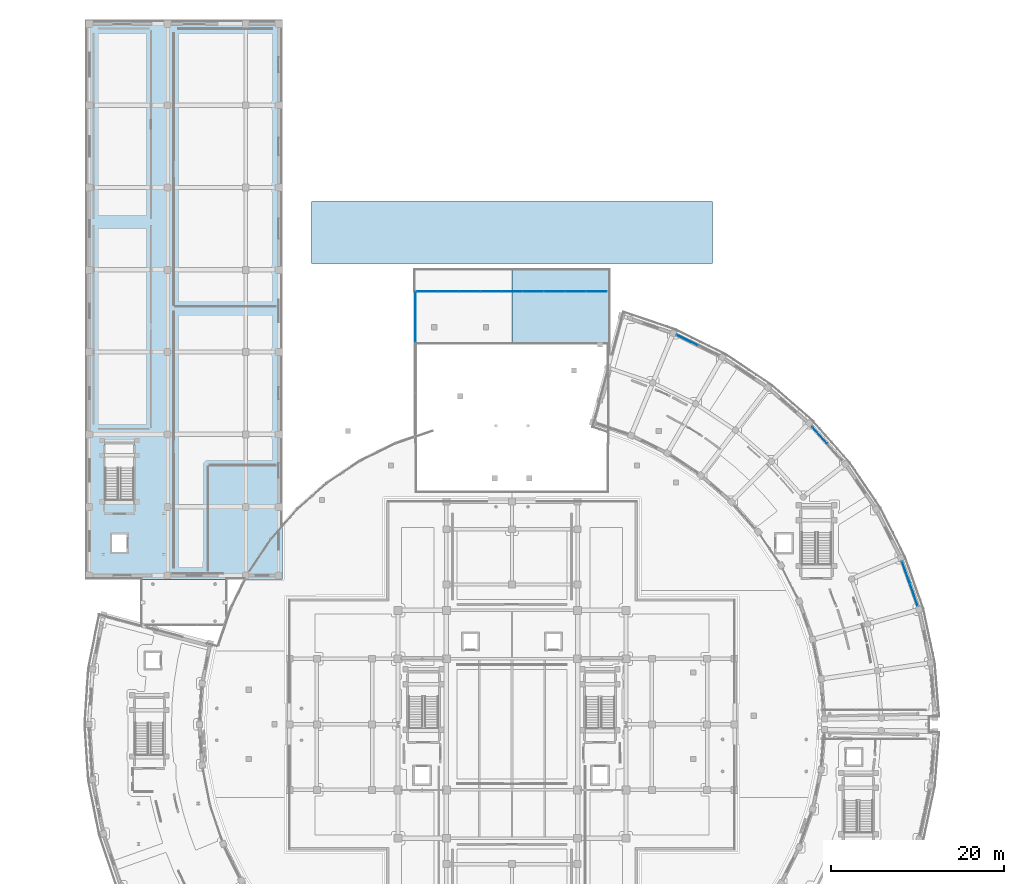
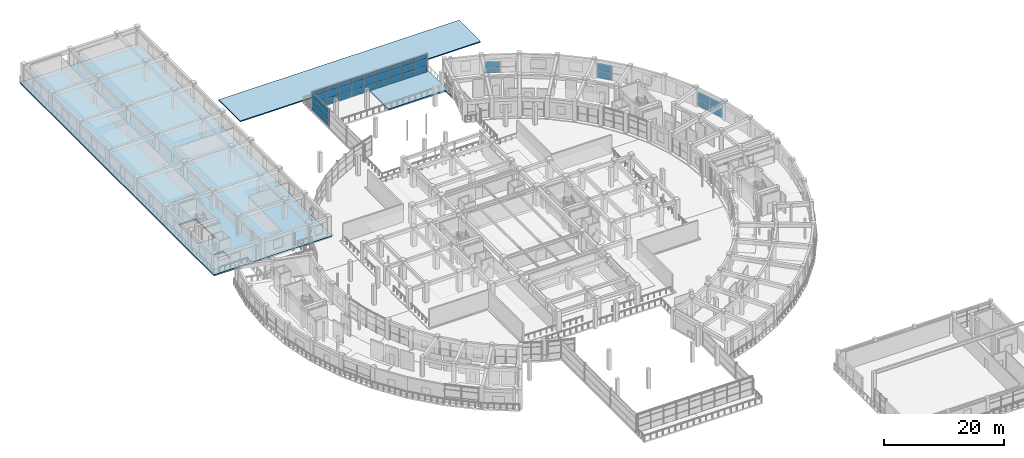
# One storey, part 52 of 87: 38 plates, 3 slabs, 7 elements without a shape of their own.
"""IFC4 building model written with IfcOpenShell, lengths in metres."""

from ifc_helpers import new_model, si_unit, direction, frame, origin, origin_2d, place, context, subcontext, project, spatial, polyline, rectangle, outline, extrude, material, layer, layer_set, type_object, element, aggregate, save


model = new_model("IFC4")

# Units and contexts
model_context = context("Model", 3, precision=1e-05, world=origin(), true_north=direction((0.0, 1.0)))
body_context = subcontext(model_context, "Body", "Model", "MODEL_VIEW")
ifc_project = project(units=[si_unit("LENGTHUNIT", "METRE"), si_unit("AREAUNIT", "SQUARE_METRE"), si_unit("VOLUMEUNIT", "CUBIC_METRE"), si_unit("PLANEANGLEUNIT", "RADIAN"), si_unit("MASSUNIT", "GRAM", prefix="KILO")], contexts=[model_context])

# Site, building, storey
site_placement = place(None, origin())
site = spatial("IfcSite", under=ifc_project, at=site_placement, CompositionType="ELEMENT")
building_placement = place(site_placement, origin())
building = spatial("IfcBuilding", under=site, at=building_placement, Name="Saryqyr Civic Hall", CompositionType="ELEMENT")
storey_placement = place(building_placement, frame((0.0, 0.0, 5.10009765625)))
storey = spatial("IfcBuildingStorey", under=building, at=storey_placement, Name="L01", CompositionType="ELEMENT", Elevation=5.10009765625)

# Curtain wall, plates
ifc_material_1 = material(Name="Anodised aluminium and triple low-E glass", Category="aluminium")
curtain_wall_type_1 = type_object("IfcCurtainWallType", Name="ENV-CW-STD-16", PredefinedType="NOTDEFINED", material=ifc_material_1)
curtain_wall_1_placement = place(storey_placement, origin())
curtain_wall_1 = element("IfcCurtainWall", 1, at=curtain_wall_1_placement, inside=storey, type_object=curtain_wall_type_1, Name="Curtain wall V6-CWO-L01-02", PredefinedType="NOTDEFINED")
ifc_material_2 = material(Name="Triple low-E insulated glazing", Category="glass")
ifc_layer_1 = layer(ifc_material_2, 0.053955078125, Name="Triple low-E insulated glazing")
ifc_layer_set_1 = layer_set([ifc_layer_1], Name="Triple low-E insulated glazing")
plate_type_1 = type_object("IfcPlateType", Name="ENV-CW-PNL-38", PredefinedType="CURTAIN_PANEL", material=ifc_layer_set_1)
plate_1_placement = place(storey_placement, frame((102.650390625, 101.57470703125, 0.059814453125), z_axis=(0.0, 0.0, 1.0), x_axis=(0.33320233131, -0.942855347553, 0.0)))
plate_1 = element("IfcPlate", 2, at=plate_1_placement, type_object=plate_type_1, Name="CW-16 panel 1.1", PredefinedType="CURTAIN_PANEL", context=body_context, shape_type="SweptSolid", body=[
    extrude(rectangle(XDim=2.66064453125, YDim=0.053955078125, at=origin_2d()), origin(), (0.0, 0.0, 1.0), 1.48193359375),
])
plate_2_placement = place(storey_placement, frame((102.650390625, 101.57470703125, 1.60205078125), z_axis=(0.0, 0.0, 1.0), x_axis=(0.33320233131, -0.942855347553, 0.0)))
plate_2 = element("IfcPlate", 3, at=plate_2_placement, type_object=plate_type_1, Name="CW-16 panel 1.2", PredefinedType="CURTAIN_PANEL", context=body_context, shape_type="SweptSolid", body=[
    extrude(rectangle(XDim=2.66064453125, YDim=0.053955078125, at=origin_2d()), origin(), (0.0, 0.0, 1.0), 1.48291015625),
])
plate_3_placement = place(storey_placement, frame((103.556884765625, 99.009521484375, 0.059814453125), z_axis=(0.0, 0.0, 1.0), x_axis=(0.33320233131, -0.942855347553, 0.0)))
plate_3 = element("IfcPlate", 4, at=plate_3_placement, type_object=plate_type_1, Name="CW-16 panel 2.1", PredefinedType="CURTAIN_PANEL", context=body_context, shape_type="SweptSolid", body=[
    extrude(rectangle(XDim=2.66064453125, YDim=0.053955078125, at=origin_2d()), origin(), (0.0, 0.0, 1.0), 1.48193359375),
])
plate_4_placement = place(storey_placement, frame((103.556884765625, 99.009521484375, 1.60205078125), z_axis=(0.0, 0.0, 1.0), x_axis=(0.33320233131, -0.942855347553, 0.0)))
plate_4 = element("IfcPlate", 5, at=plate_4_placement, type_object=plate_type_1, Name="CW-16 panel 2.2", PredefinedType="CURTAIN_PANEL", context=body_context, shape_type="SweptSolid", body=[
    extrude(rectangle(XDim=2.66064453125, YDim=0.053955078125, at=origin_2d()), origin(), (0.0, 0.0, 1.0), 1.48291015625),
])
aggregate(curtain_wall_1, [plate_1, plate_2, plate_3, plate_4])

curtain_wall_type_2 = type_object("IfcCurtainWallType", Name="ENV-CW-STD-46", PredefinedType="NOTDEFINED", material=ifc_material_1)
curtain_wall_2_placement = place(storey_placement, origin())
curtain_wall_2 = element("IfcCurtainWall", 6, at=curtain_wall_2_placement, inside=storey, type_object=curtain_wall_type_2, Name="Curtain wall V6-CWO-L01-05", PredefinedType="NOTDEFINED")
plate_5_placement = place(storey_placement, frame((92.6533203125, 117.489501953125, 0.059814453125), z_axis=(0.0, 0.0, 1.0), x_axis=(0.664936864868, -0.74689956871, 0.0)))
plate_5 = element("IfcPlate", 7, at=plate_5_placement, type_object=plate_type_1, Name="CW-46 panel 1.1", PredefinedType="CURTAIN_PANEL", context=body_context, shape_type="SweptSolid", body=[
    extrude(rectangle(XDim=2.552001953125, YDim=0.053955078125, at=origin_2d()), origin(), (0.0, 0.0, 1.0), 1.48193359375),
])
plate_6_placement = place(storey_placement, frame((92.6533203125, 117.489501953125, 1.60205078125), z_axis=(0.0, 0.0, 1.0), x_axis=(0.664936864868, -0.74689956871, 0.0)))
plate_6 = element("IfcPlate", 8, at=plate_6_placement, type_object=plate_type_1, Name="CW-46 panel 1.2", PredefinedType="CURTAIN_PANEL", context=body_context, shape_type="SweptSolid", body=[
    extrude(rectangle(XDim=2.552001953125, YDim=0.053955078125, at=origin_2d()), origin(), (0.0, 0.0, 1.0), 1.48291015625),
])
aggregate(curtain_wall_2, [plate_5, plate_6])

curtain_wall_type_3 = type_object("IfcCurtainWallType", Name="ENV-CW-STD-38", PredefinedType="NOTDEFINED", material=ifc_material_1)
curtain_wall_3_placement = place(storey_placement, origin())
curtain_wall_3 = element("IfcCurtainWall", 9, at=curtain_wall_3_placement, inside=storey, type_object=curtain_wall_type_3, Name="Curtain wall V6-CWO-L01-08", PredefinedType="NOTDEFINED")
plate_7_placement = place(storey_placement, frame((77.3056640625, 128.502685546875, 0.06005859375), z_axis=(0.0, 0.0, 1.0), x_axis=(0.897970253811, -0.440056159224, 0.0)))
plate_7 = element("IfcPlate", 10, at=plate_7_placement, type_object=plate_type_1, Name="CW-38 panel 1.1", PredefinedType="CURTAIN_PANEL", context=body_context, shape_type="SweptSolid", body=[
    extrude(rectangle(XDim=2.639892578125, YDim=0.053955078125, at=origin_2d()), origin(), (0.0, 0.0, 1.0), 1.135009765625),
])
plate_8_placement = place(storey_placement, frame((77.3056640625, 128.502685546875, 1.2548828125), z_axis=(0.0, 0.0, 1.0), x_axis=(0.897970253811, -0.440056159224, 0.0)))
plate_8 = element("IfcPlate", 11, at=plate_8_placement, type_object=plate_type_1, Name="CW-38 panel 1.2", PredefinedType="CURTAIN_PANEL", context=body_context, shape_type="SweptSolid", body=[
    extrude(rectangle(XDim=2.639892578125, YDim=0.053955078125, at=origin_2d()), origin(), (0.0, 0.0, 1.0), 1.135009765625),
])
aggregate(curtain_wall_3, [plate_7, plate_8])

curtain_wall_type_4 = type_object("IfcCurtainWallType", Name="ENV-CW-STD-72", PredefinedType="NOTDEFINED", material=ifc_material_1)
curtain_wall_4_placement = place(storey_placement, origin())
curtain_wall_4 = element("IfcCurtainWall", 12, at=curtain_wall_4_placement, inside=storey, type_object=curtain_wall_type_4, Name="Curtain wall V2-VESTFLK-NW-L01", PredefinedType="NOTDEFINED")
plate_9_placement = place(storey_placement, frame((45.800048828125, 131.193359375, 0.06005859375), z_axis=(0.0, 0.0, 1.0), x_axis=(0.0, 1.0, 0.0)))
plate_9 = element("IfcPlate", 13, at=plate_9_placement, type_object=plate_type_1, Name="CW-72 panel 3.1", PredefinedType="CURTAIN_PANEL", context=body_context, shape_type="SweptSolid", body=[
    extrude(rectangle(XDim=5.793212890625, YDim=0.053955078125, at=origin_2d()), origin(), (0.0, 0.0, 1.0), 1.241943359375),
])
plate_10_placement = place(storey_placement, frame((45.800048828125, 131.193359375, 1.362060546875), z_axis=(0.0, 0.0, 1.0), x_axis=(0.0, 1.0, 0.0)))
plate_10 = element("IfcPlate", 14, at=plate_10_placement, type_object=plate_type_1, Name="CW-72 panel 3.2", PredefinedType="CURTAIN_PANEL", context=body_context, shape_type="SweptSolid", body=[
    extrude(rectangle(XDim=5.793212890625, YDim=0.053955078125, at=origin_2d()), origin(), (0.0, 0.0, 1.0), 1.419921875),
])
plate_11_placement = place(storey_placement, frame((45.800048828125, 131.193359375, 2.841796875), z_axis=(0.0, 0.0, 1.0), x_axis=(0.0, 1.0, 0.0)))
plate_11 = element("IfcPlate", 15, at=plate_11_placement, type_object=plate_type_1, Name="CW-72 panel 3.3", PredefinedType="CURTAIN_PANEL", context=body_context, shape_type="SweptSolid", body=[
    extrude(rectangle(XDim=5.793212890625, YDim=0.053955078125, at=origin_2d()), origin(), (0.0, 0.0, 1.0), 0.798095703125),
])
aggregate(curtain_wall_4, [plate_9, plate_10, plate_11])

curtain_wall_type_5 = type_object("IfcCurtainWallType", Name="ENV-CW-HVY-69", PredefinedType="NOTDEFINED", material=ifc_material_1)
curtain_wall_5_placement = place(storey_placement, origin())
curtain_wall_5 = element("IfcCurtainWall", 16, at=curtain_wall_5_placement, inside=storey, type_object=curtain_wall_type_5, Name="Curtain wall V2-PORTAL-CW-N-L01-0", PredefinedType="NOTDEFINED")
ifc_material_3 = material(Name="Acoustic laminated low-E glazing", Category="glass")
ifc_layer_2 = layer(ifc_material_3, 0.072021484375, Name="Acoustic laminated low-E glazing")
ifc_layer_set_2 = layer_set([ifc_layer_2], Name="Acoustic laminated low-E glazing")
plate_type_2 = type_object("IfcPlateType", Name="ENV-CW-PNL-52", PredefinedType="CURTAIN_PANEL", material=ifc_layer_set_2)
plate_12_placement = place(storey_placement, frame((47.1953125, 134.14990234375, 0.06982421875), z_axis=(0.0, 0.0, 1.0), x_axis=(1.0, 0.0, 0.0)))
plate_12 = element("IfcPlate", 17, at=plate_12_placement, type_object=plate_type_2, Name="CW-69 panel 1.1", PredefinedType="CURTAIN_PANEL", context=body_context, shape_type="SweptSolid", body=[
    extrude(rectangle(XDim=2.3505859375, YDim=0.072021484375, at=origin_2d()), origin(), (0.0, 0.0, 1.0), 1.22705078125),
])
plate_13_placement = place(storey_placement, frame((47.1953125, 134.14990234375, 1.3671875), z_axis=(0.0, 0.0, 1.0), x_axis=(1.0, 0.0, 0.0)))
plate_13 = element("IfcPlate", 18, at=plate_13_placement, type_object=plate_type_2, Name="CW-69 panel 1.2", PredefinedType="CURTAIN_PANEL", context=body_context, shape_type="SweptSolid", body=[
    extrude(rectangle(XDim=2.3505859375, YDim=0.072021484375, at=origin_2d()), origin(), (0.0, 0.0, 1.0), 1.409912109375),
])
plate_14_placement = place(storey_placement, frame((47.1953125, 134.14990234375, 2.8466796875), z_axis=(0.0, 0.0, 1.0), x_axis=(1.0, 0.0, 0.0)))
plate_14 = element("IfcPlate", 19, at=plate_14_placement, type_object=plate_type_2, Name="CW-69 panel 1.3", PredefinedType="CURTAIN_PANEL", context=body_context, shape_type="SweptSolid", body=[
    extrude(rectangle(XDim=2.3505859375, YDim=0.072021484375, at=origin_2d()), origin(), (0.0, 0.0, 1.0), 0.782958984375),
])
plate_15_placement = place(storey_placement, frame((49.63330078125, 134.14990234375, 0.06982421875), z_axis=(0.0, 0.0, 1.0), x_axis=(1.0, 0.0, 0.0)))
plate_15 = element("IfcPlate", 20, at=plate_15_placement, type_object=plate_type_2, Name="CW-69 panel 2.1", PredefinedType="CURTAIN_PANEL", context=body_context, shape_type="SweptSolid", body=[
    extrude(rectangle(XDim=2.385498046875, YDim=0.072021484375, at=origin_2d()), origin(), (0.0, 0.0, 1.0), 1.22705078125),
])
plate_16_placement = place(storey_placement, frame((49.63330078125, 134.14990234375, 1.3671875), z_axis=(0.0, 0.0, 1.0), x_axis=(1.0, 0.0, 0.0)))
plate_16 = element("IfcPlate", 21, at=plate_16_placement, type_object=plate_type_2, Name="CW-69 panel 2.2", PredefinedType="CURTAIN_PANEL", context=body_context, shape_type="SweptSolid", body=[
    extrude(rectangle(XDim=2.385498046875, YDim=0.072021484375, at=origin_2d()), origin(), (0.0, 0.0, 1.0), 1.409912109375),
])
plate_17_placement = place(storey_placement, frame((49.63330078125, 134.14990234375, 2.8466796875), z_axis=(0.0, 0.0, 1.0), x_axis=(1.0, 0.0, 0.0)))
plate_17 = element("IfcPlate", 22, at=plate_17_placement, type_object=plate_type_2, Name="CW-69 panel 2.3", PredefinedType="CURTAIN_PANEL", context=body_context, shape_type="SweptSolid", body=[
    extrude(rectangle(XDim=2.385498046875, YDim=0.072021484375, at=origin_2d()), origin(), (0.0, 0.0, 1.0), 0.782958984375),
])
plate_18_placement = place(storey_placement, frame((52.071533203125, 134.14990234375, 0.06982421875), z_axis=(0.0, 0.0, 1.0), x_axis=(1.0, 0.0, 0.0)))
plate_18 = element("IfcPlate", 23, at=plate_18_placement, type_object=plate_type_2, Name="CW-69 panel 3.1", PredefinedType="CURTAIN_PANEL", context=body_context, shape_type="SweptSolid", body=[
    extrude(rectangle(XDim=2.3505859375, YDim=0.072021484375, at=origin_2d()), origin(), (0.0, 0.0, 1.0), 1.22705078125),
])
plate_19_placement = place(storey_placement, frame((52.071533203125, 134.14990234375, 1.3671875), z_axis=(0.0, 0.0, 1.0), x_axis=(1.0, 0.0, 0.0)))
plate_19 = element("IfcPlate", 24, at=plate_19_placement, type_object=plate_type_2, Name="CW-69 panel 3.2", PredefinedType="CURTAIN_PANEL", context=body_context, shape_type="SweptSolid", body=[
    extrude(rectangle(XDim=2.3505859375, YDim=0.072021484375, at=origin_2d()), origin(), (0.0, 0.0, 1.0), 1.409912109375),
])
plate_20_placement = place(storey_placement, frame((52.071533203125, 134.14990234375, 2.8466796875), z_axis=(0.0, 0.0, 1.0), x_axis=(1.0, 0.0, 0.0)))
plate_20 = element("IfcPlate", 25, at=plate_20_placement, type_object=plate_type_2, Name="CW-69 panel 3.3", PredefinedType="CURTAIN_PANEL", context=body_context, shape_type="SweptSolid", body=[
    extrude(rectangle(XDim=2.3505859375, YDim=0.072021484375, at=origin_2d()), origin(), (0.0, 0.0, 1.0), 0.782958984375),
])
aggregate(curtain_wall_5, [plate_12, plate_13, plate_14, plate_15, plate_16, plate_17, plate_18, plate_19, plate_20])

curtain_wall_6_placement = place(storey_placement, origin())
curtain_wall_6 = element("IfcCurtainWall", 26, at=curtain_wall_6_placement, inside=storey, type_object=curtain_wall_type_5, Name="Curtain wall V2-PORTAL-CW-N-L01-1", PredefinedType="NOTDEFINED")
plate_21_placement = place(storey_placement, frame((54.56201171875, 134.14990234375, 0.06982421875), z_axis=(0.0, 0.0, 1.0), x_axis=(1.0, 0.0, 0.0)))
plate_21 = element("IfcPlate", 27, at=plate_21_placement, type_object=plate_type_2, Name="CW-69 panel 1.1", PredefinedType="CURTAIN_PANEL", context=body_context, shape_type="SweptSolid", body=[
    extrude(rectangle(XDim=2.3505859375, YDim=0.072021484375, at=origin_2d()), origin(), (0.0, 0.0, 1.0), 1.22705078125),
])
plate_22_placement = place(storey_placement, frame((54.56201171875, 134.14990234375, 1.3671875), z_axis=(0.0, 0.0, 1.0), x_axis=(1.0, 0.0, 0.0)))
plate_22 = element("IfcPlate", 28, at=plate_22_placement, type_object=plate_type_2, Name="CW-69 panel 1.2", PredefinedType="CURTAIN_PANEL", context=body_context, shape_type="SweptSolid", body=[
    extrude(rectangle(XDim=2.3505859375, YDim=0.072021484375, at=origin_2d()), origin(), (0.0, 0.0, 1.0), 1.409912109375),
])
plate_23_placement = place(storey_placement, frame((54.56201171875, 134.14990234375, 2.8466796875), z_axis=(0.0, 0.0, 1.0), x_axis=(1.0, 0.0, 0.0)))
plate_23 = element("IfcPlate", 29, at=plate_23_placement, type_object=plate_type_2, Name="CW-69 panel 1.3", PredefinedType="CURTAIN_PANEL", context=body_context, shape_type="SweptSolid", body=[
    extrude(rectangle(XDim=2.3505859375, YDim=0.072021484375, at=origin_2d()), origin(), (0.0, 0.0, 1.0), 0.782958984375),
])
plate_24_placement = place(storey_placement, frame((57.0, 134.14990234375, 0.06982421875), z_axis=(0.0, 0.0, 1.0), x_axis=(1.0, 0.0, 0.0)))
plate_24 = element("IfcPlate", 30, at=plate_24_placement, type_object=plate_type_2, Name="CW-69 panel 2.1", PredefinedType="CURTAIN_PANEL", context=body_context, shape_type="SweptSolid", body=[
    extrude(rectangle(XDim=2.385498046875, YDim=0.072021484375, at=origin_2d()), origin(), (0.0, 0.0, 1.0), 1.22705078125),
])
plate_25_placement = place(storey_placement, frame((57.0, 134.14990234375, 1.3671875), z_axis=(0.0, 0.0, 1.0), x_axis=(1.0, 0.0, 0.0)))
plate_25 = element("IfcPlate", 31, at=plate_25_placement, type_object=plate_type_2, Name="CW-69 panel 2.2", PredefinedType="CURTAIN_PANEL", context=body_context, shape_type="SweptSolid", body=[
    extrude(rectangle(XDim=2.385498046875, YDim=0.072021484375, at=origin_2d()), origin(), (0.0, 0.0, 1.0), 1.409912109375),
])
plate_26_placement = place(storey_placement, frame((57.0, 134.14990234375, 2.8466796875), z_axis=(0.0, 0.0, 1.0), x_axis=(1.0, 0.0, 0.0)))
plate_26 = element("IfcPlate", 32, at=plate_26_placement, type_object=plate_type_2, Name="CW-69 panel 2.3", PredefinedType="CURTAIN_PANEL", context=body_context, shape_type="SweptSolid", body=[
    extrude(rectangle(XDim=2.385498046875, YDim=0.072021484375, at=origin_2d()), origin(), (0.0, 0.0, 1.0), 0.782958984375),
])
plate_27_placement = place(storey_placement, frame((59.43798828125, 134.14990234375, 0.06982421875), z_axis=(0.0, 0.0, 1.0), x_axis=(1.0, 0.0, 0.0)))
plate_27 = element("IfcPlate", 33, at=plate_27_placement, type_object=plate_type_2, Name="CW-69 panel 3.1", PredefinedType="CURTAIN_PANEL", context=body_context, shape_type="SweptSolid", body=[
    extrude(rectangle(XDim=2.3505859375, YDim=0.072021484375, at=origin_2d()), origin(), (0.0, 0.0, 1.0), 1.22705078125),
])
plate_28_placement = place(storey_placement, frame((59.43798828125, 134.14990234375, 1.3671875), z_axis=(0.0, 0.0, 1.0), x_axis=(1.0, 0.0, 0.0)))
plate_28 = element("IfcPlate", 34, at=plate_28_placement, type_object=plate_type_2, Name="CW-69 panel 3.2", PredefinedType="CURTAIN_PANEL", context=body_context, shape_type="SweptSolid", body=[
    extrude(rectangle(XDim=2.3505859375, YDim=0.072021484375, at=origin_2d()), origin(), (0.0, 0.0, 1.0), 1.409912109375),
])
plate_29_placement = place(storey_placement, frame((59.43798828125, 134.14990234375, 2.8466796875), z_axis=(0.0, 0.0, 1.0), x_axis=(1.0, 0.0, 0.0)))
plate_29 = element("IfcPlate", 35, at=plate_29_placement, type_object=plate_type_2, Name="CW-69 panel 3.3", PredefinedType="CURTAIN_PANEL", context=body_context, shape_type="SweptSolid", body=[
    extrude(rectangle(XDim=2.3505859375, YDim=0.072021484375, at=origin_2d()), origin(), (0.0, 0.0, 1.0), 0.782958984375),
])
aggregate(curtain_wall_6, [plate_21, plate_22, plate_23, plate_24, plate_25, plate_26, plate_27, plate_28, plate_29])

curtain_wall_7_placement = place(storey_placement, origin())
curtain_wall_7 = element("IfcCurtainWall", 36, at=curtain_wall_7_placement, inside=storey, type_object=curtain_wall_type_5, Name="Curtain wall V2-PORTAL-CW-N-L01-2", PredefinedType="NOTDEFINED")
plate_30_placement = place(storey_placement, frame((61.928466796875, 134.14990234375, 0.06982421875), z_axis=(0.0, 0.0, 1.0), x_axis=(1.0, 0.0, 0.0)))
plate_30 = element("IfcPlate", 37, at=plate_30_placement, type_object=plate_type_2, Name="CW-69 panel 1.1", PredefinedType="CURTAIN_PANEL", context=body_context, shape_type="SweptSolid", body=[
    extrude(rectangle(XDim=2.3505859375, YDim=0.072021484375, at=origin_2d()), origin(), (0.0, 0.0, 1.0), 1.22705078125),
])
plate_31_placement = place(storey_placement, frame((61.928466796875, 134.14990234375, 1.3671875), z_axis=(0.0, 0.0, 1.0), x_axis=(1.0, 0.0, 0.0)))
plate_31 = element("IfcPlate", 38, at=plate_31_placement, type_object=plate_type_2, Name="CW-69 panel 1.2", PredefinedType="CURTAIN_PANEL", context=body_context, shape_type="SweptSolid", body=[
    extrude(rectangle(XDim=2.3505859375, YDim=0.072021484375, at=origin_2d()), origin(), (0.0, 0.0, 1.0), 1.409912109375),
])
plate_32_placement = place(storey_placement, frame((61.928466796875, 134.14990234375, 2.8466796875), z_axis=(0.0, 0.0, 1.0), x_axis=(1.0, 0.0, 0.0)))
plate_32 = element("IfcPlate", 39, at=plate_32_placement, type_object=plate_type_2, Name="CW-69 panel 1.3", PredefinedType="CURTAIN_PANEL", context=body_context, shape_type="SweptSolid", body=[
    extrude(rectangle(XDim=2.3505859375, YDim=0.072021484375, at=origin_2d()), origin(), (0.0, 0.0, 1.0), 0.782958984375),
])
plate_33_placement = place(storey_placement, frame((64.36669921875, 134.14990234375, 0.06982421875), z_axis=(0.0, 0.0, 1.0), x_axis=(1.0, 0.0, 0.0)))
plate_33 = element("IfcPlate", 40, at=plate_33_placement, type_object=plate_type_2, Name="CW-69 panel 2.1", PredefinedType="CURTAIN_PANEL", context=body_context, shape_type="SweptSolid", body=[
    extrude(rectangle(XDim=2.385498046875, YDim=0.072021484375, at=origin_2d()), origin(), (0.0, 0.0, 1.0), 1.22705078125),
])
plate_34_placement = place(storey_placement, frame((64.36669921875, 134.14990234375, 1.3671875), z_axis=(0.0, 0.0, 1.0), x_axis=(1.0, 0.0, 0.0)))
plate_34 = element("IfcPlate", 41, at=plate_34_placement, type_object=plate_type_2, Name="CW-69 panel 2.2", PredefinedType="CURTAIN_PANEL", context=body_context, shape_type="SweptSolid", body=[
    extrude(rectangle(XDim=2.385498046875, YDim=0.072021484375, at=origin_2d()), origin(), (0.0, 0.0, 1.0), 1.409912109375),
])
plate_35_placement = place(storey_placement, frame((64.36669921875, 134.14990234375, 2.8466796875), z_axis=(0.0, 0.0, 1.0), x_axis=(1.0, 0.0, 0.0)))
plate_35 = element("IfcPlate", 42, at=plate_35_placement, type_object=plate_type_2, Name="CW-69 panel 2.3", PredefinedType="CURTAIN_PANEL", context=body_context, shape_type="SweptSolid", body=[
    extrude(rectangle(XDim=2.385498046875, YDim=0.072021484375, at=origin_2d()), origin(), (0.0, 0.0, 1.0), 0.782958984375),
])
plate_36_placement = place(storey_placement, frame((66.8046875, 134.14990234375, 0.06982421875), z_axis=(0.0, 0.0, 1.0), x_axis=(1.0, 0.0, 0.0)))
plate_36 = element("IfcPlate", 43, at=plate_36_placement, type_object=plate_type_2, Name="CW-69 panel 3.1", PredefinedType="CURTAIN_PANEL", context=body_context, shape_type="SweptSolid", body=[
    extrude(rectangle(XDim=2.3505859375, YDim=0.072021484375, at=origin_2d()), origin(), (0.0, 0.0, 1.0), 1.22705078125),
])
plate_37_placement = place(storey_placement, frame((66.8046875, 134.14990234375, 1.3671875), z_axis=(0.0, 0.0, 1.0), x_axis=(1.0, 0.0, 0.0)))
plate_37 = element("IfcPlate", 44, at=plate_37_placement, type_object=plate_type_2, Name="CW-69 panel 3.2", PredefinedType="CURTAIN_PANEL", context=body_context, shape_type="SweptSolid", body=[
    extrude(rectangle(XDim=2.3505859375, YDim=0.072021484375, at=origin_2d()), origin(), (0.0, 0.0, 1.0), 1.409912109375),
])
plate_38_placement = place(storey_placement, frame((66.8046875, 134.14990234375, 2.8466796875), z_axis=(0.0, 0.0, 1.0), x_axis=(1.0, 0.0, 0.0)))
plate_38 = element("IfcPlate", 45, at=plate_38_placement, type_object=plate_type_2, Name="CW-69 panel 3.3", PredefinedType="CURTAIN_PANEL", context=body_context, shape_type="SweptSolid", body=[
    extrude(rectangle(XDim=2.3505859375, YDim=0.072021484375, at=origin_2d()), origin(), (0.0, 0.0, 1.0), 0.782958984375),
])
aggregate(curtain_wall_7, [plate_30, plate_31, plate_32, plate_33, plate_34, plate_35, plate_36, plate_37, plate_38])

# Slabs
ifc_material_4 = material(Name="Concrete C35/45", Category="concrete")
ifc_layer_3 = layer(ifc_material_4, 0.280029296875, Name="Concrete C35/45")
ifc_layer_set_3 = layer_set([ifc_layer_3], Name="Concrete C35/45")
slab_type_1 = type_object("IfcSlabType", Name="STR-SLB-FLR-280", PredefinedType="FLOOR", material=ifc_layer_set_3)
slab_1_placement = place(storey_placement, frame((0.0, 0.0, -0.280029296875)))
element("IfcSlab", 46, at=slab_1_placement, inside=storey, type_object=slab_type_1, Name="Slab SLB-V2NE-L01-P2", PredefinedType="FLOOR", context=body_context, shape_type="SweptSolid", body=[
    extrude(outline(polyline([(68.0, 125.670654296875), (68.0, 128.0), (57.0, 128.0), (57.0, 136.800048828125), (68.39990234375, 136.800048828125), (68.39990234375, 127.16357421875), (68.0, 125.670654296875)])), origin(), (0.0, 0.0, 1.0), 0.280029296875),
])
ifc_layer_4 = layer(ifc_material_4, 0.300048828125, Name="Concrete C35/45")
ifc_layer_set_4 = layer_set([ifc_layer_4], Name="Concrete C35/45")
slab_type_2 = type_object("IfcSlabType", Name="STR-SLB-FLR-300", PredefinedType="FLOOR", material=ifc_layer_set_4)
slab_2_placement = place(storey_placement, frame((0.0, 0.0, -0.300048828125)))
element("IfcSlab", 47, at=slab_2_placement, inside=storey, type_object=slab_type_2, Name="Slab SLB-V3-L01", PredefinedType="FLOOR", context=body_context, shape_type="SweptSolid", body=[
    extrude(outline(polyline([(30.39990234375, 165.60009765625), (30.39990234375, 100.800048828125), (7.60009765625, 100.800048828125), (7.60009765625, 165.60009765625), (30.39990234375, 165.60009765625)]), holes=[polyline([(12.39990234375, 103.949951171875), (12.39990234375, 106.050048828125), (10.60009765625, 106.050048828125), (10.60009765625, 103.949951171875), (12.39990234375, 103.949951171875)]), polyline([(13.199951171875, 116.5), (9.840087890625, 116.5), (9.840087890625, 110.080078125), (13.199951171875, 110.080078125), (13.199951171875, 116.5)])]), origin(), (0.0, 0.0, 1.0), 0.300048828125),
])
ifc_layer_5 = layer(ifc_material_4, 0.2099609375, Name="Concrete C35/45")
ifc_layer_set_5 = layer_set([ifc_layer_5], Name="Concrete C35/45")
slab_type_3 = type_object("IfcSlabType", Name="STR-SLB-ROOF-210", PredefinedType="ROOF", material=ifc_layer_set_5)
slab_3_placement = place(storey_placement, frame((0.0, 0.0, -0.210205078125)))
element("IfcSlab", 48, at=slab_3_placement, inside=storey, type_object=slab_type_3, Name="North Civic Square Entrance Portico Roof", PredefinedType="ROOF", context=body_context, shape_type="SweptSolid", body=[
    extrude(outline(polyline([(33.800048828125, 137.39990234375), (80.199951171875, 137.39990234375), (80.199951171875, 144.60009765625), (33.800048828125, 144.60009765625), (33.800048828125, 137.39990234375)])), origin(), (0.0, 0.0, 1.0), 0.210205078125),
])

save(model, "model.ifc")
